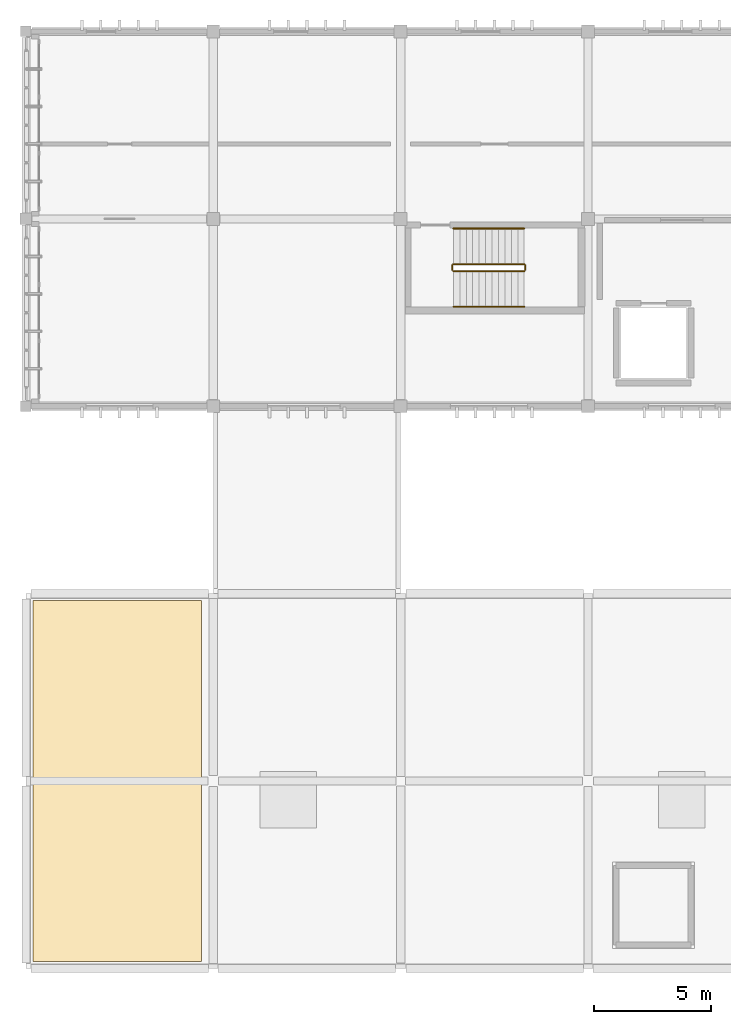
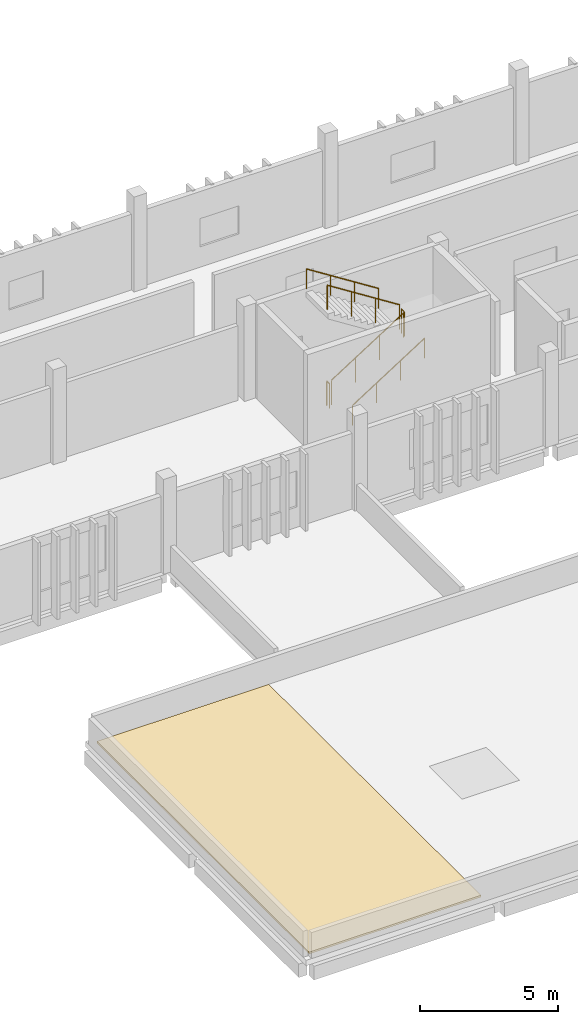
# One storey, part 29 of 32: 6 railings, 1 covering.
"""IFC4 building model written with IfcOpenShell, lengths in metres."""

from ifc_helpers import new_model, si_unit, direction, frame, origin, origin_2d, place, context, subcontext, project, spatial, polyline, circle, outline, extrude, material, layer, layer_set, type_object, element, save


model = new_model("IFC4")

# Units and contexts
model_context = context("Model", 3, precision=1e-05, world=origin(), true_north=direction((0.0, 1.0)))
body_context = subcontext(model_context, "Body", "Model", "MODEL_VIEW")
ifc_project = project(units=[si_unit("LENGTHUNIT", "METRE"), si_unit("AREAUNIT", "SQUARE_METRE"), si_unit("VOLUMEUNIT", "CUBIC_METRE"), si_unit("PLANEANGLEUNIT", "RADIAN"), si_unit("MASSUNIT", "GRAM", prefix="KILO")], contexts=[model_context])

# Site, building, storey
site_placement = place(None, origin())
site = spatial("IfcSite", under=ifc_project, at=site_placement, CompositionType="ELEMENT")
building_placement = place(site_placement, origin())
building = spatial("IfcBuilding", under=site, at=building_placement, Name="Jelvoka-Kovrelna Polytechnic", CompositionType="ELEMENT")
storey_placement = place(building_placement, frame((0.0, 0.0, 26.39990234375)))
storey = spatial("IfcBuildingStorey", under=building, at=storey_placement, Name="L07", CompositionType="ELEMENT", Elevation=26.39990234375)

# Covering
ifc_material_1 = material(Name="Insulated elastomeric waterproofing membrane")
ifc_layer = layer(ifc_material_1, 0.080078125)
ifc_layer_set = layer_set([ifc_layer], Name="Insulated elastomeric waterproofing membrane")
covering_type = type_object("IfcCoveringType", Name="Covering_Roof_Membrane_80", PredefinedType="ROOFING", material=ifc_layer_set)
covering_placement = place(storey_placement, origin())
element("IfcCovering", 1, at=covering_placement, inside=storey, type_object=covering_type, Name="L07 insulated roof membrane COV-ROOF-L07-B2W", PredefinedType="ROOFING", context=body_context, shape_type="SweptSolid", body=[
    extrude(outline(polyline([(64.300048828125, 32.300048828125), (71.5, 32.300048828125), (71.5, 47.699951171875), (64.300048828125, 47.699951171875), (64.300048828125, 32.300048828125)])), origin(), (0.0, 0.0, 1.0), 0.080078125),
])

# Railings
ifc_material_2 = material(Name="Powder-coated steel stair guard", Category="steel")
railing_type_1 = type_object("IfcRailingType", Name="Railing_Stair_Guard_1100", PredefinedType="GUARDRAIL", material=ifc_material_2)
railing_1_placement = place(storey_placement, frame((82.25, 61.77001953125, 0.175048828125)))
element("IfcRailing", 2, at=railing_1_placement, inside=storey, type_object=railing_type_1, Name="L07 ST09 stair guard 1", PredefinedType="GUARDRAIL", context=body_context, shape_type="SweptSolid", body=[
    extrude(circle(Radius=0.02392578125, at=origin_2d()), frame((0.0, 0.0, 1.076171875), z_axis=(0.84364746871, 0.0, 0.536897521451), x_axis=(0.0, 1.0, 0.0)), (0.0, 0.0, 1.0), 3.58544921875),
    extrude(circle(Radius=0.02099609375, at=origin_2d()), origin(), (0.0, 0.0, 1.0), 1.052001953125),
    extrude(circle(Radius=0.02099609375, at=origin_2d()), frame((1.00830078125, 0.0, 0.6416015625)), (0.0, 0.0, 1.0), 1.052001953125),
    extrude(circle(Radius=0.02099609375, at=origin_2d()), frame((2.0166015625, 0.0, 1.283447265625)), (0.0, 0.0, 1.0), 1.052001953125),
    extrude(circle(Radius=0.02099609375, at=origin_2d()), frame((3.02490234375, 0.0, 1.925048828125)), (0.0, 0.0, 1.0), 1.052001953125),
])
railing_2_placement = place(storey_placement, frame((85.324951171875, 61.820068359375, 2.10009765625)))
element("IfcRailing", 3, at=railing_2_placement, inside=storey, type_object=railing_type_1, Name="L07 ST09 stair guard 2", PredefinedType="GUARDRAIL", context=body_context, shape_type="SweptSolid", body=[
    extrude(circle(Radius=0.02392578125, at=origin_2d()), frame((0.0, 0.0, 1.076171875), z_axis=(0.0, 1.0, 0.0), x_axis=(-1.0, 0.0, 0.0)), (0.0, 0.0, 1.0), 0.199951171875),
    extrude(circle(Radius=0.02099609375, at=origin_2d()), origin(), (0.0, 0.0, 1.0), 1.052001953125),
    extrude(circle(Radius=0.02099609375, at=origin_2d()), frame((0.0, 0.199951171875, 0.0)), (0.0, 0.0, 1.0), 1.052001953125),
])
railing_3_placement = place(storey_placement, frame((85.27490234375, 62.070068359375, 2.275146484375)))
element("IfcRailing", 4, at=railing_3_placement, inside=storey, type_object=railing_type_1, Name="L07 ST09 stair guard 3", PredefinedType="GUARDRAIL", context=body_context, shape_type="SweptSolid", body=[
    extrude(circle(Radius=0.02392578125, at=origin_2d()), frame((0.0, 0.0, 1.076171875), z_axis=(-0.84364746871, 0.0, 0.536897521451), x_axis=(0.0, -1.0, 0.0)), (0.0, 0.0, 1.0), 3.58544921875),
    extrude(circle(Radius=0.02099609375, at=origin_2d()), origin(), (0.0, 0.0, 1.0), 1.052001953125),
    extrude(circle(Radius=0.02099609375, at=origin_2d()), frame((-1.00830078125, 0.0, 0.6416015625)), (0.0, 0.0, 1.0), 1.052001953125),
    extrude(circle(Radius=0.02099609375, at=origin_2d()), frame((-2.0166015625, 0.0, 1.283447265625)), (0.0, 0.0, 1.0), 1.052001953125),
    extrude(circle(Radius=0.02099609375, at=origin_2d()), frame((-3.02490234375, 0.0, 1.925048828125)), (0.0, 0.0, 1.0), 1.052001953125),
])
railing_4_placement = place(storey_placement, frame((82.199951171875, 61.820068359375, 0.0)))
element("IfcRailing", 5, at=railing_4_placement, inside=storey, type_object=railing_type_1, Name="L07 ST09 stair guard 4", PredefinedType="GUARDRAIL", context=body_context, shape_type="SweptSolid", body=[
    extrude(circle(Radius=0.02392578125, at=origin_2d()), frame((0.0, 0.0, 1.076171875), z_axis=(0.0, 1.0, 0.0), x_axis=(-1.0, 0.0, 0.0)), (0.0, 0.0, 1.0), 0.199951171875),
    extrude(circle(Radius=0.02099609375, at=origin_2d()), origin(), (0.0, 0.0, 1.0), 1.052001953125),
    extrude(circle(Radius=0.02099609375, at=origin_2d()), frame((0.0, 0.199951171875, 0.0)), (0.0, 0.0, 1.0), 1.052001953125),
])
ifc_material_3 = material(Name="Brushed stainless steel handrail", Category="steel")
railing_type_2 = type_object("IfcRailingType", Name="Railing_Stair_Handrail_900", PredefinedType="HANDRAIL", material=ifc_material_3)
railing_5_placement = place(storey_placement, frame((82.25, 60.25, 0.175048828125)))
element("IfcRailing", 6, at=railing_5_placement, inside=storey, type_object=railing_type_2, Name="L07 ST09 stair handrail 1", PredefinedType="HANDRAIL", context=body_context, shape_type="SweptSolid", body=[
    extrude(circle(Radius=0.02392578125, at=origin_2d()), frame((0.0, 0.0, 0.8759765625), z_axis=(0.84364746871, 0.0, 0.536897521451), x_axis=(0.0, 1.0, 0.0)), (0.0, 0.0, 1.0), 3.58544921875),
    extrude(circle(Radius=0.02099609375, at=origin_2d()), origin(), (0.0, 0.0, 1.0), 0.851806640625),
    extrude(circle(Radius=0.02099609375, at=origin_2d()), frame((1.00830078125, 0.0, 0.6416015625)), (0.0, 0.0, 1.0), 0.851806640625),
    extrude(circle(Radius=0.02099609375, at=origin_2d()), frame((2.0166015625, 0.0, 1.283447265625)), (0.0, 0.0, 1.0), 0.851806640625),
    extrude(circle(Radius=0.02099609375, at=origin_2d()), frame((3.02490234375, 0.0, 1.925048828125)), (0.0, 0.0, 1.0), 0.851806640625),
])
railing_6_placement = place(storey_placement, frame((85.27490234375, 63.590087890625, 2.275146484375)))
element("IfcRailing", 7, at=railing_6_placement, inside=storey, type_object=railing_type_2, Name="L07 ST09 stair handrail 2", PredefinedType="HANDRAIL", context=body_context, shape_type="SweptSolid", body=[
    extrude(circle(Radius=0.02392578125, at=origin_2d()), frame((0.0, 0.0, 0.8759765625), z_axis=(-0.84364746871, 0.0, 0.536897521451), x_axis=(0.0, -1.0, 0.0)), (0.0, 0.0, 1.0), 3.58544921875),
    extrude(circle(Radius=0.02099609375, at=origin_2d()), origin(), (0.0, 0.0, 1.0), 0.851806640625),
    extrude(circle(Radius=0.02099609375, at=origin_2d()), frame((-1.00830078125, 0.0, 0.6416015625)), (0.0, 0.0, 1.0), 0.851806640625),
    extrude(circle(Radius=0.02099609375, at=origin_2d()), frame((-2.0166015625, 0.0, 1.283447265625)), (0.0, 0.0, 1.0), 0.851806640625),
    extrude(circle(Radius=0.02099609375, at=origin_2d()), frame((-3.02490234375, 0.0, 1.925048828125)), (0.0, 0.0, 1.0), 0.851806640625),
])

save(model, "model.ifc")
